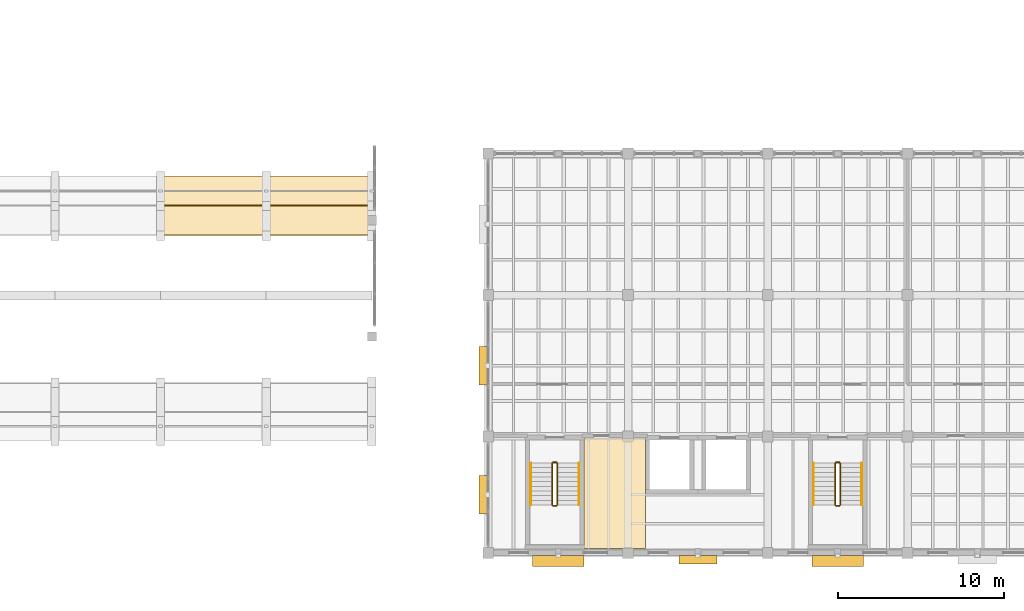
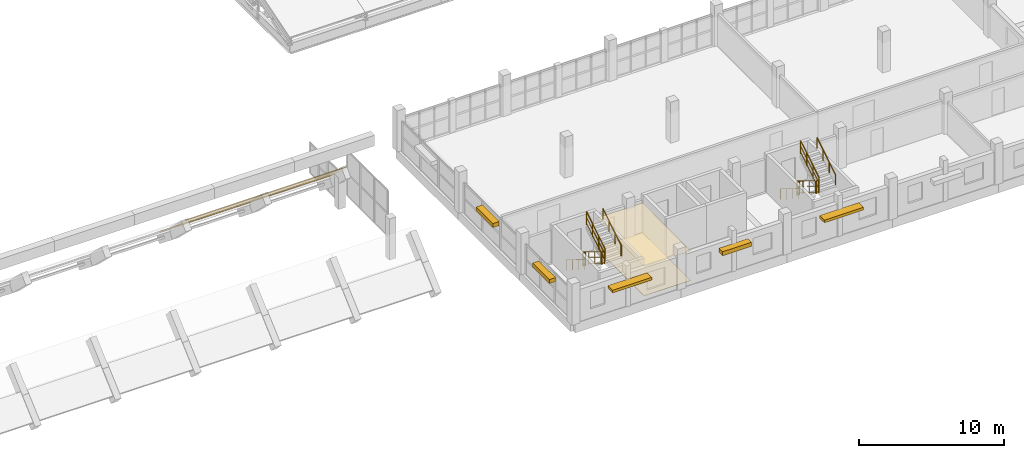
# One storey, part 45 of 48: 12 railings, 6 coverings, 5 shading devices.
"""IFC4 building model written with IfcOpenShell, lengths in metres."""

from ifc_helpers import new_model, si_unit, direction, frame, origin, origin_2d, place, context, subcontext, project, spatial, polyline, rectangle, circle, outline, extrude, material, layer, layer_set, type_object, element, save


model = new_model("IFC4")

# Units and contexts
model_context = context("Model", 3, precision=1e-05, world=origin(), true_north=direction((0.0, 1.0)))
body_context = subcontext(model_context, "Body", "Model", "MODEL_VIEW")
ifc_project = project(units=[si_unit("LENGTHUNIT", "METRE"), si_unit("AREAUNIT", "SQUARE_METRE"), si_unit("VOLUMEUNIT", "CUBIC_METRE"), si_unit("PLANEANGLEUNIT", "RADIAN"), si_unit("MASSUNIT", "GRAM", prefix="KILO")], contexts=[model_context])

# Site, building, storey
site_placement = place(None, origin())
site = spatial("IfcSite", under=ifc_project, at=site_placement, CompositionType="ELEMENT")
building_placement = place(site_placement, origin())
building = spatial("IfcBuilding", under=site, at=building_placement, Name="Trellovar Central Fire Station", CompositionType="ELEMENT")
storey_placement = place(building_placement, frame((0.0, 0.0, 9.300048828125)))
storey = spatial("IfcBuildingStorey", under=building, at=storey_placement, Name="L03", CompositionType="ELEMENT", Elevation=9.300048828125)

# Coverings
ifc_material_1 = material(Name="Perforated acoustic mineral fiber ceiling tile", Category="mineral")
ifc_layer_1 = layer(ifc_material_1, 0.02490234375)
ifc_layer_set_1 = layer_set([ifc_layer_1], Name="Perforated acoustic mineral fiber ceiling tile")
covering_type_1 = type_object("IfcCoveringType", Name="COV-CLG1", PredefinedType="CEILING", material=ifc_layer_set_1)
covering_1_placement = place(storey_placement, frame((0.0, 0.0, 2.47998046875)))
element("IfcCovering", 1, at=covering_1_placement, inside=storey, type_object=covering_type_1, Name="Redundant Server UPS and Radio Room suspended ceiling", PredefinedType="CEILING", context=body_context, shape_type="SweptSolid", body=[
    extrude(outline(polyline([(114.949951171875, 15.89990234375), (114.949951171875, 9.25), (111.25, 9.25), (111.25, 15.89990234375), (114.949951171875, 15.89990234375)])), origin(), (0.0, 0.0, 1.0), 0.02490234375),
])
ifc_material_2 = material(Name="Vitrified Catalan ceramic floor tile", Category="masonry")
ifc_layer_2 = layer(ifc_material_2, 0.01806640625)
ifc_layer_set_2 = layer_set([ifc_layer_2], Name="Vitrified Catalan ceramic floor tile")
covering_type_2 = type_object("IfcCoveringType", Name="COV-FLR2", PredefinedType="FLOORING", material=ifc_layer_set_2)
covering_2_placement = place(storey_placement, origin())
element("IfcCovering", 2, at=covering_2_placement, inside=storey, type_object=covering_type_2, Name="Redundant Server UPS and Radio Room floor finish", PredefinedType="FLOORING", context=body_context, shape_type="SweptSolid", body=[
    extrude(outline(polyline([(114.949951171875, 15.89990234375), (114.949951171875, 9.25), (111.25, 9.25), (111.25, 15.89990234375), (114.949951171875, 15.89990234375)])), origin(), (0.0, 0.0, 1.0), 0.01806640625),
])
ifc_material_3 = material(Name="Glazed ceramic trencadis roofing", Category="masonry")
ifc_layer_3 = layer(ifc_material_3, 0.06005859375)
ifc_layer_set_3 = layer_set([ifc_layer_3], Name="Glazed ceramic trencadis roofing")
covering_type_3 = type_object("IfcCoveringType", Name="COV-RF1", PredefinedType="ROOFING", material=ifc_layer_set_3)
covering_3_placement = place(storey_placement, frame((85.800048828125, 28.110595703125, 3.9248046875), z_axis=(0.0, 0.696346274579, 0.717705974533), x_axis=(1.0, 0.0, 0.0)))
element("IfcCovering", 3, at=covering_3_placement, inside=storey, type_object=covering_type_3, Name="Glazed trencadis vault covering V1-09-09", PredefinedType="ROOFING", context=body_context, shape_type="SweptSolid", body=[
    extrude(outline(polyline([(0.0, 0.0), (6.349853515625, 0.0), (6.349853515625, 2.4345825660173794), (0.0, 2.4345825660173794), (0.0, 0.0)])), origin(), (0.0, 0.0, -1.0), 0.06005859375),
])
covering_4_placement = place(storey_placement, frame((85.800048828125, 29.8994140625, 2.1962890625), z_axis=(0.0, 0.622845234629, 0.782345073289), x_axis=(1.0, 0.0, 0.0)))
element("IfcCovering", 4, at=covering_4_placement, inside=storey, type_object=covering_type_3, Name="Glazed trencadis vault covering V1-09-10", PredefinedType="ROOFING", context=body_context, shape_type="SweptSolid", body=[
    extrude(outline(polyline([(0.0, 0.0), (6.349853515625, 0.0), (6.349853515625, 2.239361101406021), (0.0, 2.239361101406021), (0.0, 0.0)])), origin(), (0.0, 0.0, -1.0), 0.06005859375),
])
covering_5_placement = place(storey_placement, frame((92.14990234375, 28.110595703125, 3.9248046875), z_axis=(0.0, 0.696346274579, 0.717705974533), x_axis=(1.0, 0.0, 0.0)))
element("IfcCovering", 5, at=covering_5_placement, inside=storey, type_object=covering_type_3, Name="Glazed trencadis vault covering V1-10-09", PredefinedType="ROOFING", context=body_context, shape_type="SweptSolid", body=[
    extrude(outline(polyline([(0.0, 0.0), (6.35009765625, 0.0), (6.35009765625, 2.4345825660173794), (0.0, 2.4345825660173794), (0.0, 0.0)])), origin(), (0.0, 0.0, -1.0), 0.06005859375),
])
covering_6_placement = place(storey_placement, frame((92.14990234375, 29.8994140625, 2.1962890625), z_axis=(0.0, 0.622845234629, 0.782345073289), x_axis=(1.0, 0.0, 0.0)))
element("IfcCovering", 6, at=covering_6_placement, inside=storey, type_object=covering_type_3, Name="Glazed trencadis vault covering V1-10-10", PredefinedType="ROOFING", context=body_context, shape_type="SweptSolid", body=[
    extrude(outline(polyline([(0.0, 0.0), (6.35009765625, 0.0), (6.35009765625, 2.239361101406021), (0.0, 2.239361101406021), (0.0, 0.0)])), origin(), (0.0, 0.0, -1.0), 0.06005859375),
])

# Railings
ifc_material_4 = material(Name="Patina bronze wrought metalwork", Category="metal")
ifc_layer_4 = layer(ifc_material_4, 0.048095703125)
ifc_layer_set_4 = layer_set([ifc_layer_4], Name="Patina bronze wrought metalwork")
railing_type_1 = type_object("IfcRailingType", Name="RL-STAIR", PredefinedType="HANDRAIL", material=ifc_layer_set_4)
railing_1_placement = place(storey_placement, frame((108.050048828125, 14.39990234375, 0.17236328125)))
element("IfcRailing", 7, at=railing_1_placement, inside=storey, type_object=railing_type_1, Name="L03 ST-01 stair handrail 1", PredefinedType="HANDRAIL", context=body_context, shape_type="SweptSolid", body=[
    extrude(circle(Radius=0.02392578125, at=origin_2d()), frame((0.0, 0.0, 0.8759765625), z_axis=(0.0, -0.851400495292, 0.524516154772), x_axis=(1.0, 0.0, 0.0)), (0.0, 0.0, 1.0), 2.9599609375),
    extrude(circle(Radius=0.02099609375, at=origin_2d()), origin(), (0.0, 0.0, 1.0), 0.851806640625),
    extrude(circle(Radius=0.02099609375, at=origin_2d()), frame((0.0, -0.840087890625, 0.517578125)), (0.0, 0.0, 1.0), 0.851806640625),
    extrude(circle(Radius=0.02099609375, at=origin_2d()), frame((0.0, -1.679931640625, 1.034912109375)), (0.0, 0.0, 1.0), 0.851806640625),
    extrude(circle(Radius=0.02099609375, at=origin_2d()), frame((0.0, -2.52001953125, 1.552490234375)), (0.0, 0.0, 1.0), 0.851806640625),
])
railing_2_placement = place(storey_placement, frame((110.949951171875, 11.8798828125, 1.8974609375)))
element("IfcRailing", 8, at=railing_2_placement, inside=storey, type_object=railing_type_1, Name="L03 ST-01 stair handrail 2", PredefinedType="HANDRAIL", context=body_context, shape_type="SweptSolid", body=[
    extrude(circle(Radius=0.02392578125, at=origin_2d()), frame((0.0, 0.0, 0.8759765625), z_axis=(0.0, 0.851400495292, 0.524516154772), x_axis=(-1.0, 0.0, 0.0)), (0.0, 0.0, 1.0), 2.9599609375),
    extrude(circle(Radius=0.02099609375, at=origin_2d()), origin(), (0.0, 0.0, 1.0), 0.851806640625),
    extrude(circle(Radius=0.02099609375, at=origin_2d()), frame((0.0, 0.840087890625, 0.517578125)), (0.0, 0.0, 1.0), 0.851806640625),
    extrude(circle(Radius=0.02099609375, at=origin_2d()), frame((0.0, 1.679931640625, 1.034912109375)), (0.0, 0.0, 1.0), 0.851806640625),
    extrude(circle(Radius=0.02099609375, at=origin_2d()), frame((0.0, 2.52001953125, 1.552490234375)), (0.0, 0.0, 1.0), 0.851806640625),
])
railing_3_placement = place(storey_placement, frame((125.050048828125, 14.39990234375, 0.17236328125)))
element("IfcRailing", 9, at=railing_3_placement, inside=storey, type_object=railing_type_1, Name="L03 ST-02 stair handrail 1", PredefinedType="HANDRAIL", context=body_context, shape_type="SweptSolid", body=[
    extrude(circle(Radius=0.02392578125, at=origin_2d()), frame((0.0, 0.0, 0.8759765625), z_axis=(0.0, -0.851400495292, 0.524516154772), x_axis=(1.0, 0.0, 0.0)), (0.0, 0.0, 1.0), 2.9599609375),
    extrude(circle(Radius=0.02099609375, at=origin_2d()), origin(), (0.0, 0.0, 1.0), 0.851806640625),
    extrude(circle(Radius=0.02099609375, at=origin_2d()), frame((0.0, -0.840087890625, 0.517578125)), (0.0, 0.0, 1.0), 0.851806640625),
    extrude(circle(Radius=0.02099609375, at=origin_2d()), frame((0.0, -1.679931640625, 1.034912109375)), (0.0, 0.0, 1.0), 0.851806640625),
    extrude(circle(Radius=0.02099609375, at=origin_2d()), frame((0.0, -2.52001953125, 1.552490234375)), (0.0, 0.0, 1.0), 0.851806640625),
])
railing_4_placement = place(storey_placement, frame((127.949951171875, 11.8798828125, 1.8974609375)))
element("IfcRailing", 10, at=railing_4_placement, inside=storey, type_object=railing_type_1, Name="L03 ST-02 stair handrail 2", PredefinedType="HANDRAIL", context=body_context, shape_type="SweptSolid", body=[
    extrude(circle(Radius=0.02392578125, at=origin_2d()), frame((0.0, 0.0, 0.8759765625), z_axis=(0.0, 0.851400495292, 0.524516154772), x_axis=(-1.0, 0.0, 0.0)), (0.0, 0.0, 1.0), 2.9599609375),
    extrude(circle(Radius=0.02099609375, at=origin_2d()), origin(), (0.0, 0.0, 1.0), 0.851806640625),
    extrude(circle(Radius=0.02099609375, at=origin_2d()), frame((0.0, 0.840087890625, 0.517578125)), (0.0, 0.0, 1.0), 0.851806640625),
    extrude(circle(Radius=0.02099609375, at=origin_2d()), frame((0.0, 1.679931640625, 1.034912109375)), (0.0, 0.0, 1.0), 0.851806640625),
    extrude(circle(Radius=0.02099609375, at=origin_2d()), frame((0.0, 2.52001953125, 1.552490234375)), (0.0, 0.0, 1.0), 0.851806640625),
])
ifc_material_5 = material(Name="Patina bronze wrought metalwork", Category="metal")
ifc_layer_5 = layer(ifc_material_5, 0.050048828125)
ifc_layer_set_5 = layer_set([ifc_layer_5], Name="Patina bronze wrought metalwork")
railing_type_2 = type_object("IfcRailingType", Name="RL-STGUARD", PredefinedType="GUARDRAIL", material=ifc_layer_set_5)
railing_5_placement = place(storey_placement, frame((109.35009765625, 14.39990234375, 0.17236328125)))
element("IfcRailing", 11, at=railing_5_placement, inside=storey, type_object=railing_type_2, Name="L03 ST-01 stair guard 1", PredefinedType="GUARDRAIL", context=body_context, shape_type="SweptSolid", body=[
    extrude(circle(Radius=0.02392578125, at=origin_2d()), frame((0.0, 0.0, 1.076171875), z_axis=(0.0, -0.851400495292, 0.524516154772), x_axis=(1.0, 0.0, 0.0)), (0.0, 0.0, 1.0), 2.9599609375),
    extrude(circle(Radius=0.015625, at=origin_2d()), frame((0.0, 0.0, 0.10009765625), z_axis=(0.0, -0.851400495292, 0.524516154772), x_axis=(1.0, 0.0, 0.0)), (0.0, 0.0, 1.0), 2.9599609375),
    extrude(circle(Radius=0.015625, at=origin_2d()), frame((0.0, 0.0, 0.60498046875), z_axis=(0.0, -0.851400495292, 0.524516154772), x_axis=(1.0, 0.0, 0.0)), (0.0, 0.0, 1.0), 2.9599609375),
    extrude(circle(Radius=0.02099609375, at=origin_2d()), origin(), (0.0, 0.0, 1.0), 1.052001953125),
    extrude(circle(Radius=0.02099609375, at=origin_2d()), frame((0.0, -0.840087890625, 0.517578125)), (0.0, 0.0, 1.0), 1.052001953125),
    extrude(circle(Radius=0.02099609375, at=origin_2d()), frame((0.0, -1.679931640625, 1.034912109375)), (0.0, 0.0, 1.0), 1.052001953125),
    extrude(circle(Radius=0.02099609375, at=origin_2d()), frame((0.0, -2.52001953125, 1.552490234375)), (0.0, 0.0, 1.0), 1.052001953125),
])
railing_6_placement = place(storey_placement, frame((109.39990234375, 11.830078125, 1.724853515625)))
element("IfcRailing", 12, at=railing_6_placement, inside=storey, type_object=railing_type_2, Name="L03 ST-01 stair guard 2", PredefinedType="GUARDRAIL", context=body_context, shape_type="SweptSolid", body=[
    extrude(circle(Radius=0.02392578125, at=origin_2d()), frame((0.0, 0.0, 1.076171875), z_axis=(1.0, 0.0, 0.0), x_axis=(0.0, 1.0, 0.0)), (0.0, 0.0, 1.0), 0.2001953125),
    extrude(circle(Radius=0.015625, at=origin_2d()), frame((0.0, 0.0, 0.10009765625), z_axis=(1.0, 0.0, 0.0), x_axis=(0.0, 1.0, 0.0)), (0.0, 0.0, 1.0), 0.2001953125),
    extrude(circle(Radius=0.015625, at=origin_2d()), frame((0.0, 0.0, 0.60498046875), z_axis=(1.0, 0.0, 0.0), x_axis=(0.0, 1.0, 0.0)), (0.0, 0.0, 1.0), 0.2001953125),
    extrude(circle(Radius=0.02099609375, at=origin_2d()), origin(), (0.0, 0.0, 1.0), 1.052001953125),
    extrude(circle(Radius=0.02099609375, at=origin_2d()), frame((0.2001953125, 0.0, 0.0)), (0.0, 0.0, 1.0), 1.052001953125),
])
railing_7_placement = place(storey_placement, frame((109.64990234375, 11.8798828125, 1.8974609375)))
element("IfcRailing", 13, at=railing_7_placement, inside=storey, type_object=railing_type_2, Name="L03 ST-01 stair guard 3", PredefinedType="GUARDRAIL", context=body_context, shape_type="SweptSolid", body=[
    extrude(circle(Radius=0.02392578125, at=origin_2d()), frame((0.0, 0.0, 1.076171875), z_axis=(0.0, 0.851400495292, 0.524516154772), x_axis=(-1.0, 0.0, 0.0)), (0.0, 0.0, 1.0), 2.9599609375),
    extrude(circle(Radius=0.015625, at=origin_2d()), frame((0.0, 0.0, 0.10009765625), z_axis=(0.0, 0.851400495292, 0.524516154772), x_axis=(-1.0, 0.0, 0.0)), (0.0, 0.0, 1.0), 2.9599609375),
    extrude(circle(Radius=0.015625, at=origin_2d()), frame((0.0, 0.0, 0.60498046875), z_axis=(0.0, 0.851400495292, 0.524516154772), x_axis=(-1.0, 0.0, 0.0)), (0.0, 0.0, 1.0), 2.9599609375),
    extrude(circle(Radius=0.02099609375, at=origin_2d()), origin(), (0.0, 0.0, 1.0), 1.052001953125),
    extrude(circle(Radius=0.02099609375, at=origin_2d()), frame((0.0, 0.840087890625, 0.517578125)), (0.0, 0.0, 1.0), 1.052001953125),
    extrude(circle(Radius=0.02099609375, at=origin_2d()), frame((0.0, 1.679931640625, 1.034912109375)), (0.0, 0.0, 1.0), 1.052001953125),
    extrude(circle(Radius=0.02099609375, at=origin_2d()), frame((0.0, 2.52001953125, 1.552490234375)), (0.0, 0.0, 1.0), 1.052001953125),
])
railing_8_placement = place(storey_placement, frame((109.39990234375, 14.449951171875, 0.0)))
element("IfcRailing", 14, at=railing_8_placement, inside=storey, type_object=railing_type_2, Name="L03 ST-01 stair guard 4", PredefinedType="GUARDRAIL", context=body_context, shape_type="SweptSolid", body=[
    extrude(circle(Radius=0.02392578125, at=origin_2d()), frame((0.0, 0.0, 1.076171875), z_axis=(1.0, 0.0, 0.0), x_axis=(0.0, 1.0, 0.0)), (0.0, 0.0, 1.0), 0.2001953125),
    extrude(circle(Radius=0.015625, at=origin_2d()), frame((0.0, 0.0, 0.10009765625), z_axis=(1.0, 0.0, 0.0), x_axis=(0.0, 1.0, 0.0)), (0.0, 0.0, 1.0), 0.2001953125),
    extrude(circle(Radius=0.015625, at=origin_2d()), frame((0.0, 0.0, 0.60498046875), z_axis=(1.0, 0.0, 0.0), x_axis=(0.0, 1.0, 0.0)), (0.0, 0.0, 1.0), 0.2001953125),
    extrude(circle(Radius=0.02099609375, at=origin_2d()), origin(), (0.0, 0.0, 1.0), 1.052001953125),
    extrude(circle(Radius=0.02099609375, at=origin_2d()), frame((0.2001953125, 0.0, 0.0)), (0.0, 0.0, 1.0), 1.052001953125),
])
railing_9_placement = place(storey_placement, frame((126.35009765625, 14.39990234375, 0.17236328125)))
element("IfcRailing", 15, at=railing_9_placement, inside=storey, type_object=railing_type_2, Name="L03 ST-02 stair guard 1", PredefinedType="GUARDRAIL", context=body_context, shape_type="SweptSolid", body=[
    extrude(circle(Radius=0.02392578125, at=origin_2d()), frame((0.0, 0.0, 1.076171875), z_axis=(0.0, -0.851400495292, 0.524516154772), x_axis=(1.0, 0.0, 0.0)), (0.0, 0.0, 1.0), 2.9599609375),
    extrude(circle(Radius=0.015625, at=origin_2d()), frame((0.0, 0.0, 0.10009765625), z_axis=(0.0, -0.851400495292, 0.524516154772), x_axis=(1.0, 0.0, 0.0)), (0.0, 0.0, 1.0), 2.9599609375),
    extrude(circle(Radius=0.015625, at=origin_2d()), frame((0.0, 0.0, 0.60498046875), z_axis=(0.0, -0.851400495292, 0.524516154772), x_axis=(1.0, 0.0, 0.0)), (0.0, 0.0, 1.0), 2.9599609375),
    extrude(circle(Radius=0.02099609375, at=origin_2d()), origin(), (0.0, 0.0, 1.0), 1.052001953125),
    extrude(circle(Radius=0.02099609375, at=origin_2d()), frame((0.0, -0.840087890625, 0.517578125)), (0.0, 0.0, 1.0), 1.052001953125),
    extrude(circle(Radius=0.02099609375, at=origin_2d()), frame((0.0, -1.679931640625, 1.034912109375)), (0.0, 0.0, 1.0), 1.052001953125),
    extrude(circle(Radius=0.02099609375, at=origin_2d()), frame((0.0, -2.52001953125, 1.552490234375)), (0.0, 0.0, 1.0), 1.052001953125),
])
railing_10_placement = place(storey_placement, frame((126.39990234375, 11.830078125, 1.724853515625)))
element("IfcRailing", 16, at=railing_10_placement, inside=storey, type_object=railing_type_2, Name="L03 ST-02 stair guard 2", PredefinedType="GUARDRAIL", context=body_context, shape_type="SweptSolid", body=[
    extrude(circle(Radius=0.02392578125, at=origin_2d()), frame((0.0, 0.0, 1.076171875), z_axis=(1.0, 0.0, 0.0), x_axis=(0.0, 1.0, 0.0)), (0.0, 0.0, 1.0), 0.2001953125),
    extrude(circle(Radius=0.015625, at=origin_2d()), frame((0.0, 0.0, 0.10009765625), z_axis=(1.0, 0.0, 0.0), x_axis=(0.0, 1.0, 0.0)), (0.0, 0.0, 1.0), 0.2001953125),
    extrude(circle(Radius=0.015625, at=origin_2d()), frame((0.0, 0.0, 0.60498046875), z_axis=(1.0, 0.0, 0.0), x_axis=(0.0, 1.0, 0.0)), (0.0, 0.0, 1.0), 0.2001953125),
    extrude(circle(Radius=0.02099609375, at=origin_2d()), origin(), (0.0, 0.0, 1.0), 1.052001953125),
    extrude(circle(Radius=0.02099609375, at=origin_2d()), frame((0.2001953125, 0.0, 0.0)), (0.0, 0.0, 1.0), 1.052001953125),
])
railing_11_placement = place(storey_placement, frame((126.64990234375, 11.8798828125, 1.8974609375)))
element("IfcRailing", 17, at=railing_11_placement, inside=storey, type_object=railing_type_2, Name="L03 ST-02 stair guard 3", PredefinedType="GUARDRAIL", context=body_context, shape_type="SweptSolid", body=[
    extrude(circle(Radius=0.02392578125, at=origin_2d()), frame((0.0, 0.0, 1.076171875), z_axis=(0.0, 0.851400495292, 0.524516154772), x_axis=(-1.0, 0.0, 0.0)), (0.0, 0.0, 1.0), 2.9599609375),
    extrude(circle(Radius=0.015625, at=origin_2d()), frame((0.0, 0.0, 0.10009765625), z_axis=(0.0, 0.851400495292, 0.524516154772), x_axis=(-1.0, 0.0, 0.0)), (0.0, 0.0, 1.0), 2.9599609375),
    extrude(circle(Radius=0.015625, at=origin_2d()), frame((0.0, 0.0, 0.60498046875), z_axis=(0.0, 0.851400495292, 0.524516154772), x_axis=(-1.0, 0.0, 0.0)), (0.0, 0.0, 1.0), 2.9599609375),
    extrude(circle(Radius=0.02099609375, at=origin_2d()), origin(), (0.0, 0.0, 1.0), 1.052001953125),
    extrude(circle(Radius=0.02099609375, at=origin_2d()), frame((0.0, 0.840087890625, 0.517578125)), (0.0, 0.0, 1.0), 1.052001953125),
    extrude(circle(Radius=0.02099609375, at=origin_2d()), frame((0.0, 1.679931640625, 1.034912109375)), (0.0, 0.0, 1.0), 1.052001953125),
    extrude(circle(Radius=0.02099609375, at=origin_2d()), frame((0.0, 2.52001953125, 1.552490234375)), (0.0, 0.0, 1.0), 1.052001953125),
])
railing_12_placement = place(storey_placement, frame((126.39990234375, 14.449951171875, 0.0)))
element("IfcRailing", 18, at=railing_12_placement, inside=storey, type_object=railing_type_2, Name="L03 ST-02 stair guard 4", PredefinedType="GUARDRAIL", context=body_context, shape_type="SweptSolid", body=[
    extrude(circle(Radius=0.02392578125, at=origin_2d()), frame((0.0, 0.0, 1.076171875), z_axis=(1.0, 0.0, 0.0), x_axis=(0.0, 1.0, 0.0)), (0.0, 0.0, 1.0), 0.2001953125),
    extrude(circle(Radius=0.015625, at=origin_2d()), frame((0.0, 0.0, 0.10009765625), z_axis=(1.0, 0.0, 0.0), x_axis=(0.0, 1.0, 0.0)), (0.0, 0.0, 1.0), 0.2001953125),
    extrude(circle(Radius=0.015625, at=origin_2d()), frame((0.0, 0.0, 0.60498046875), z_axis=(1.0, 0.0, 0.0), x_axis=(0.0, 1.0, 0.0)), (0.0, 0.0, 1.0), 0.2001953125),
    extrude(circle(Radius=0.02099609375, at=origin_2d()), origin(), (0.0, 0.0, 1.0), 1.052001953125),
    extrude(circle(Radius=0.02099609375, at=origin_2d()), frame((0.2001953125, 0.0, 0.0)), (0.0, 0.0, 1.0), 1.052001953125),
])

# Shading devices
ifc_material_6 = material(Name="Glazed ceramic trencadis and terracotta panel", Category="masonry")
shading_device_type_1 = type_object("IfcShadingDeviceType", Name="SHD-LV1", PredefinedType="JALOUSIE", material=ifc_material_6)
for number, where, z_axis, x_axis, name in (
    (19, (118.10009765625, 8.594970703125, 1.9296875), (0.0, 0.0, 1.0), (1.0, 0.0, 0.0), "L03 Catalan solar brise-soleil LV-1"),
    (20, (105.18505859375, 12.5, 1.97998046875), (0.0, 0.0, 1.0), (0.0, 1.0, 0.0), "L03 Catalan solar brise-soleil LV-1"),
    (21, (105.18505859375, 20.25, 1.97998046875), (0.0, 0.0, 1.0), (0.0, 1.0, 0.0), "L03 Catalan solar brise-soleil LV-1"),
):
    element("IfcShadingDevice", number, at=place(storey_placement, frame(where, z_axis=z_axis, x_axis=x_axis)), inside=storey, type_object=shading_device_type_1, Name=name, PredefinedType="JALOUSIE", context=body_context, shape_type="SweptSolid", body=[
        extrude(rectangle(XDim=2.300048828125, YDim=0.5, at=origin_2d()), origin(), (0.0, 0.0, 1.0), 0.340087890625),
    ])
ifc_material_7 = material(Name="Patina bronze wrought metalwork", Category="metal")
shading_device_type_2 = type_object("IfcShadingDeviceType", Name="SHD-LV4", PredefinedType="AWNING", material=ifc_material_7)
for number, where, z_axis, x_axis, name in (
    (22, (109.699951171875, 8.52001953125, 1.98974609375), (0.0, 0.0, 1.0), (1.0, 0.0, 0.0), "L03 Catalan solar brise-soleil LV-4"),
    (23, (126.5, 8.52001953125, 1.98974609375), (0.0, 0.0, 1.0), (1.0, 0.0, 0.0), "L03 Catalan solar brise-soleil LV-4"),
):
    element("IfcShadingDevice", number, at=place(storey_placement, frame(where, z_axis=z_axis, x_axis=x_axis)), inside=storey, type_object=shading_device_type_2, Name=name, PredefinedType="AWNING", context=body_context, shape_type="SweptSolid", body=[
        extrude(rectangle(XDim=3.10009765625, YDim=0.64990234375, at=origin_2d()), origin(), (0.0, 0.0, 1.0), 0.219970703125),
    ])

save(model, "model.ifc")
